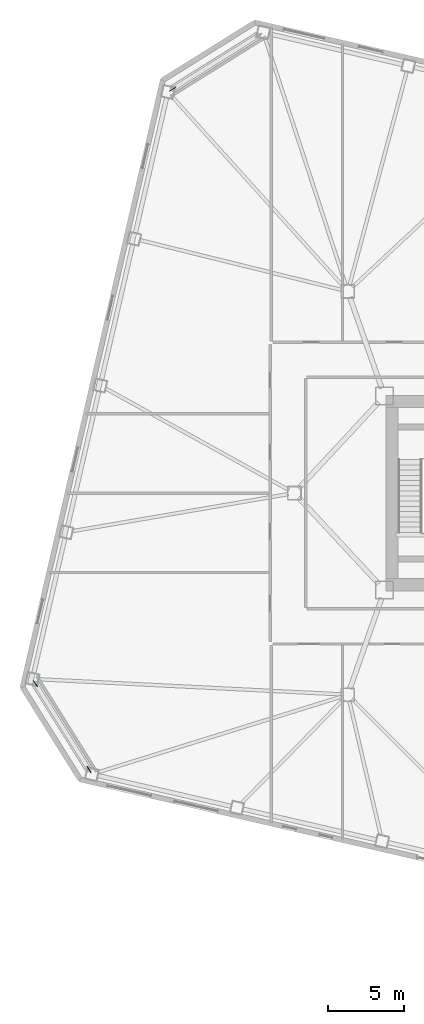
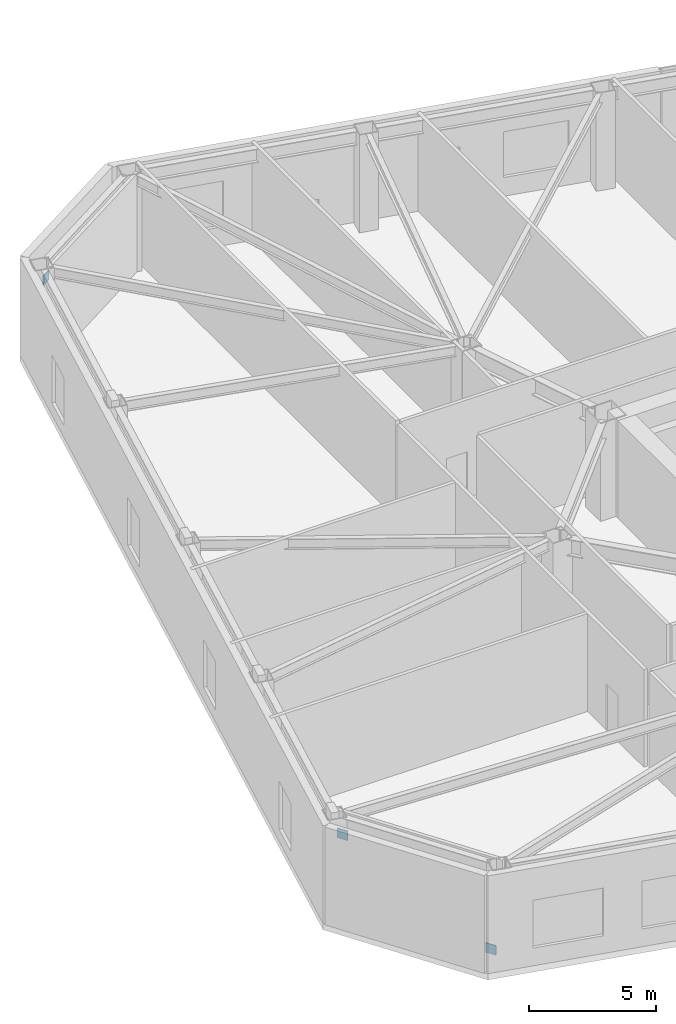
# One storey, part 15 of 20: 3 discrete accessories.
"""IFC4 building model written with IfcOpenShell, lengths in metres."""

import ifcopenshell
import ifcopenshell.guid

model = None  # the IFC model being written
_history = None  # IfcOwnerHistory: only IFC2X3 demands one
_inside = {}  # id of a spatial element -> (the spatial element, [elements in it])
_under = {}  # id of a project, library or spatial element -> (it, [spatial elements below it])
_declared = {}  # id of a project -> (the project, [libraries it declares])
_typed = {}  # id of a type object -> (the type object, [elements of that type])
_made_of = {}  # id of a material, layer set ... -> (it, [elements and type objects made of it])


def new_model(schema):
    """Start an empty IFC model of exactly this schema.

    Asked for "IFC4X3", IfcOpenShell would pick the latest addendum, in which some entities
    have other attributes; the version numbers below select the first issue.
    IFC2X3 requires an IfcOwnerHistory on every rooted entity: one is made here for all.
    """
    global model, _history
    if schema == "IFC4X3":
        model = ifcopenshell.file(schema_version=(4, 3, 0, 0))
    else:
        model = ifcopenshell.file(schema=schema)
    _inside.clear()
    _under.clear()
    _declared.clear()
    _typed.clear()
    _made_of.clear()
    _history = None
    if model.schema == "IFC2X3":
        org = make("IfcOrganization", Name="unknown")
        user = make(
            "IfcPersonAndOrganization",
            ThePerson=make("IfcPerson", FamilyName="unknown"),
            TheOrganization=org,
        )
        app = make(
            "IfcApplication",
            ApplicationDeveloper=org,
            Version="unknown",
            ApplicationFullName="unknown",
            ApplicationIdentifier="unknown",
        )
        _history = make(
            "IfcOwnerHistory",
            OwningUser=user,
            OwningApplication=app,
            ChangeAction="ADDED",
            CreationDate=0,
        )
    return model


def make(cls, **values):
    """One entity of the class cls with the attributes given. An attribute that is None is left unset."""
    return model.create_entity(
        cls, **{name: value for name, value in values.items() if value is not None}
    )


def rooted(cls, **values):
    """An entity with a GlobalId (a new one), such as an element, a storey or a relation."""
    return make(cls, GlobalId=ifcopenshell.guid.new(), OwnerHistory=_history, **values)


def si_unit(unit_type, name, prefix=None):
    """IfcSIUnit, for example si_unit("LENGTHUNIT", "METRE", prefix="MILLI")."""
    return make("IfcSIUnit", UnitType=unit_type, Prefix=prefix, Name=name)


def assignment(units):
    """IfcUnitAssignment: the units of a project."""
    return None if units is None else make("IfcUnitAssignment", Units=units)


def point(xyz):
    """IfcCartesianPoint."""
    return None if xyz is None else make("IfcCartesianPoint", Coordinates=xyz)


def direction(xyz):
    """IfcDirection."""
    return None if xyz is None else make("IfcDirection", DirectionRatios=xyz)


def frame(location, z_axis=None, x_axis=None):
    """IfcAxis2Placement3D, a coordinate frame: its origin and axes. An axis left out is left unset."""
    return make(
        "IfcAxis2Placement3D",
        Location=point(location),
        Axis=direction(z_axis),
        RefDirection=direction(x_axis),
    )


def frame_2d(location, x_axis=None):
    """IfcAxis2Placement2D, a coordinate frame in the plane: its origin and x axis."""
    return make(
        "IfcAxis2Placement2D", Location=point(location), RefDirection=direction(x_axis)
    )


def origin():
    """The frame at (0, 0, 0) with its axes left unset."""
    return frame((0.0, 0.0, 0.0))


def origin_2d():
    """The frame at (0, 0) in the plane with its x axis left unset."""
    return frame_2d((0.0, 0.0))


def place(relative_to, where):
    """IfcLocalPlacement: puts the frame where relative to a parent placement (None: the world)."""
    return make(
        "IfcLocalPlacement", PlacementRelTo=relative_to, RelativePlacement=where
    )


def context(
    kind, dimensions, precision=None, world=None, true_north=None, identifier=None
):
    """IfcGeometricRepresentationContext, for example the 3D "Model" context."""
    return make(
        "IfcGeometricRepresentationContext",
        ContextIdentifier=identifier,
        ContextType=kind,
        CoordinateSpaceDimension=dimensions,
        Precision=precision,
        WorldCoordinateSystem=world,
        TrueNorth=true_north,
    )


def subcontext(parent, identifier, kind, view, scale=None):
    """IfcGeometricRepresentationSubContext, for example "Body" below "Model"."""
    return make(
        "IfcGeometricRepresentationSubContext",
        ContextIdentifier=identifier,
        ContextType=kind,
        ParentContext=parent,
        TargetScale=scale,
        TargetView=view,
    )


def project(units=None, contexts=None):
    """IfcProject with its units and contexts."""
    return rooted(
        "IfcProject",
        Name="project",
        RepresentationContexts=contexts,
        UnitsInContext=assignment(units),
    )


def spatial(cls, under=None, at=None, **own):
    """A site, building, storey or space (cls), placed at a placement, below another one or the project."""
    s = rooted(cls, ObjectPlacement=at, **own)
    if under is not None:
        _under.setdefault(under.id(), (under, []))[1].append(s)
    return s


def profile(cls, at=None, kind="AREA", **sizes):
    """A parametric profile (cls). Its sizes go by their IFC names, for example OverallWidth=200.0."""
    return make(cls, ProfileType=kind, Position=at, **sizes)


def rectangle(**sizes):
    """IfcRectangleProfileDef."""
    return profile("IfcRectangleProfileDef", **sizes)


def extrude(swept, where, along, depth):
    """IfcExtrudedAreaSolid: the profile swept, set in the frame where, extruded along a direction by depth."""
    return make(
        "IfcExtrudedAreaSolid",
        SweptArea=swept,
        Position=where,
        ExtrudedDirection=direction(along),
        Depth=depth,
    )


def shape(context_of_items, identifier, shape_type, items):
    """IfcShapeRepresentation: the items that make up one representation, for example the "Body"."""
    return make(
        "IfcShapeRepresentation",
        ContextOfItems=context_of_items,
        RepresentationIdentifier=identifier,
        RepresentationType=shape_type,
        Items=items,
    )


def material(Name=None, Category=None):
    """IfcMaterial."""
    return make("IfcMaterial", Name=Name, Category=Category)


def made_of(thing, what):
    """Note that an element or type object is made of a material, layer set ...; save() writes the relation."""
    if what is not None:
        _made_of.setdefault(what.id(), (what, []))[1].append(thing)
    return thing


def type_object(cls, material=None, **own):
    """A type object (cls), such as IfcWallType, which elements share."""
    return made_of(rooted(cls, **own), material)


def element(
    cls,
    number,
    at=None,
    inside=None,
    cuts=None,
    type_object=None,
    material=None,
    context=None,
    identifier="Body",
    shape_type=None,
    held_by="IfcProductDefinitionShape",
    body=None,
    shapes=None,
    **own,
):
    """One element of the class cls, such as IfcWall. Its Tag is "e" and its number.

    at: its placement. inside: the storey or other place that contains it. cuts: it is an
    opening in that element (IfcRelVoidsElement). A single representation is given by context,
    identifier, shape_type and body (its items); several are given by shapes. held_by: the class
    of the entity that holds the representations. save() writes the other relations.
    """
    e = rooted(cls, Tag="e%d" % number, ObjectPlacement=at, **own)
    if body is not None:
        shapes = [shape(context, identifier, shape_type, body)]
    if shapes is not None:
        e.Representation = make(held_by, Representations=shapes)
    if inside is not None:
        _inside.setdefault(inside.id(), (inside, []))[1].append(e)
    if cuts is not None:
        rooted(
            "IfcRelVoidsElement", RelatingBuildingElement=cuts, RelatedOpeningElement=e
        )
    if type_object is not None:
        _typed.setdefault(type_object.id(), (type_object, []))[1].append(e)
    return made_of(e, material)


def aggregate(whole, parts):
    """IfcRelAggregates: a whole, such as a stair, and the parts it consists of."""
    return rooted("IfcRelAggregates", RelatingObject=whole, RelatedObjects=parts)


def save(model, path):
    """Write the relations noted so far, then the file.

    IfcRelAggregates (storeys below a building ...), IfcRelContainedInSpatialStructure (elements
    in a storey), IfcRelDefinesByType, IfcRelAssociatesMaterial and IfcRelDeclares: one each for
    every whole, place, type object, material and project.
    """
    for whole, parts in _under.values():
        aggregate(whole, parts)
    for where, things in _inside.values():
        rooted(
            "IfcRelContainedInSpatialStructure",
            RelatedElements=things,
            RelatingStructure=where,
        )
    for kind, things in _typed.values():
        rooted("IfcRelDefinesByType", RelatedObjects=things, RelatingType=kind)
    for what, things in _made_of.values():
        rooted("IfcRelAssociatesMaterial", RelatedObjects=things, RelatingMaterial=what)
    for by, libraries in _declared.values():
        rooted("IfcRelDeclares", RelatingContext=by, RelatedDefinitions=libraries)
    model.write(path)


model = new_model("IFC4")

# Units and contexts
model_context = context("Model", 3, precision=1e-05, world=origin(), true_north=direction((0.0, 1.0)))
body_context = subcontext(model_context, "Body", "Model", "MODEL_VIEW")
ifc_project = project(units=[si_unit("LENGTHUNIT", "METRE"), si_unit("AREAUNIT", "SQUARE_METRE"), si_unit("VOLUMEUNIT", "CUBIC_METRE"), si_unit("PLANEANGLEUNIT", "RADIAN"), si_unit("MASSUNIT", "GRAM", prefix="KILO")], contexts=[model_context])

# Site, building, storey
site_placement = place(None, origin())
site = spatial("IfcSite", under=ifc_project, at=site_placement, CompositionType="ELEMENT")
building_placement = place(site_placement, origin())
building = spatial("IfcBuilding", under=site, at=building_placement, Name="Tavrogorsk Clinical Tower", CompositionType="ELEMENT")
storey_placement = place(building_placement, frame((0.0, 0.0, 23.39990234375)))
storey = spatial("IfcBuildingStorey", under=building, at=storey_placement, Name="L04", CompositionType="ELEMENT", Elevation=23.39990234375)

# Discrete accessories
ifc_material = material(Name="Structural steel S440", Category="steel")
discrete_accessory_type = type_object("IfcDiscreteAccessoryType", Name="GussetPlateBracket_25", PredefinedType="BRACKET", material=ifc_material)
for number, where, z_axis, x_axis, name in (
    (1, (-35.967041015625, 26.452880859375, 3.586669921875), (0.0, 0.0, 1.0), (-0.848048096156, -0.529919264233, 0.0), "L04 Brace Gusset Plate EXOCRN-L04-3-B"),
    (2, (-41.4443359375, -18.096923828125, 0.25341796875), (0.0, 0.0, 1.0), (-0.529919264233, 0.848048096156, 0.0), "L04 Brace Gusset Plate EXOCRN-L04-4-A"),
    (3, (-44.955078125, -12.478515625, 3.586669921875), (0.0, 0.0, 1.0), (-0.529919264233, 0.848048096156, 0.0), "L04 Brace Gusset Plate EXOCRN-L04-4-B"),
):
    element("IfcDiscreteAccessory", number, at=place(storey_placement, frame(where, z_axis=z_axis, x_axis=x_axis)), inside=storey, type_object=discrete_accessory_type, Name=name, PredefinedType="BRACKET", context=body_context, shape_type="SweptSolid", body=[
        extrude(rectangle(XDim=0.4599609375, YDim=0.0400390625, at=origin_2d()), origin(), (0.0, 0.0, 1.0), 0.4599609375),
    ])

save(model, "model.ifc")
